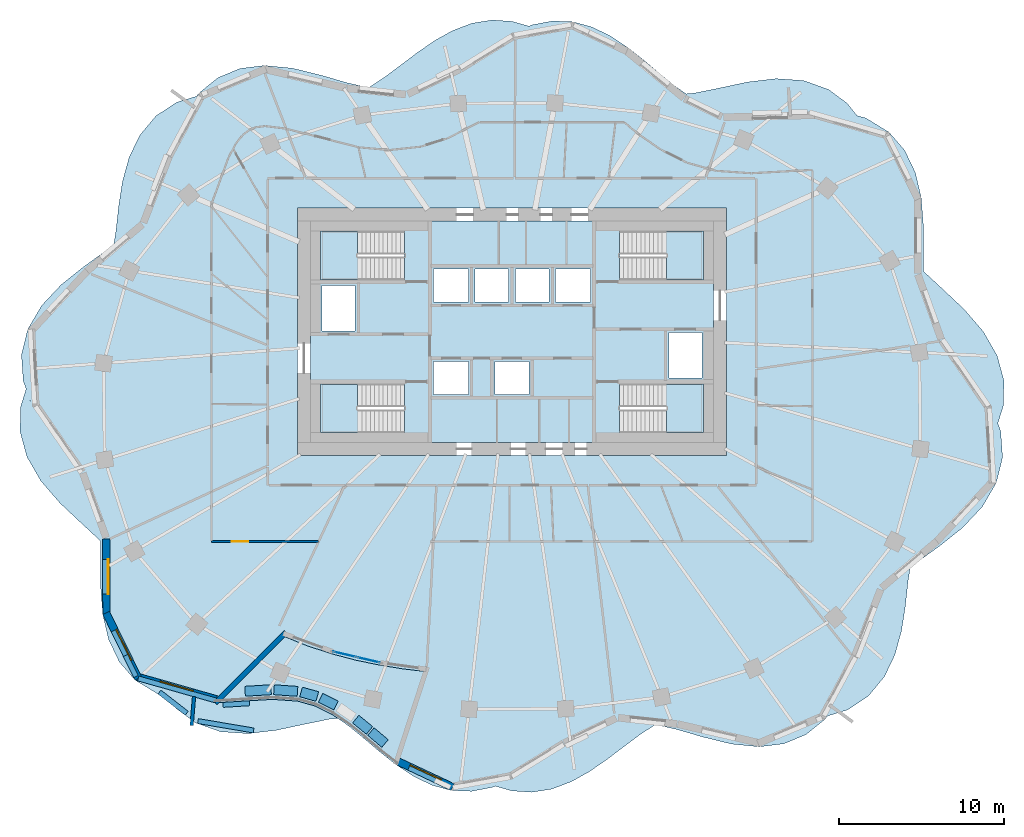
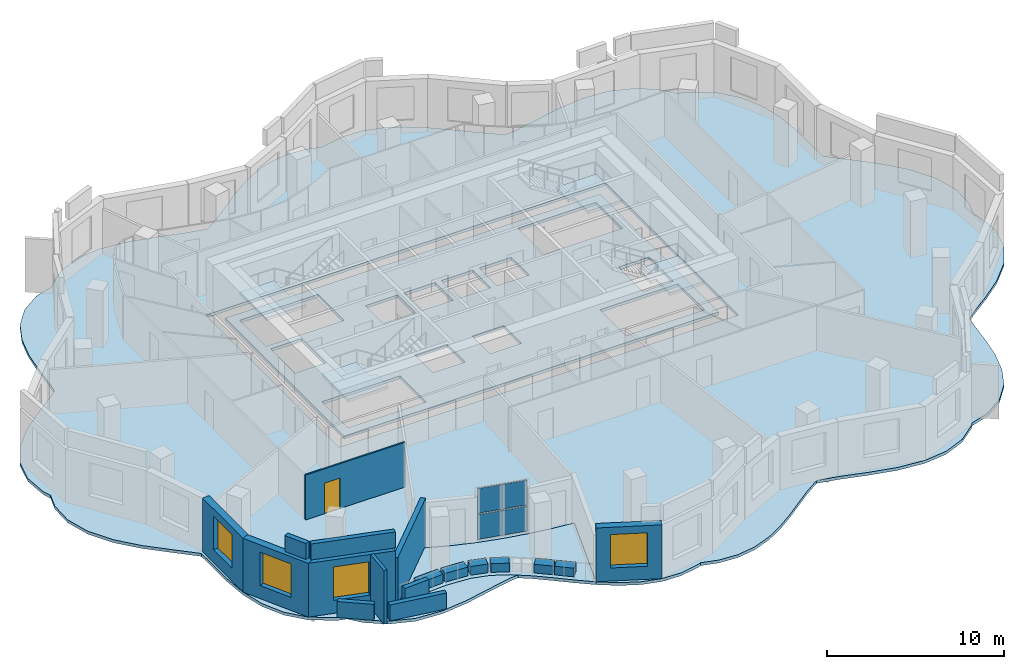
# One storey, part 4 of 13: 18 walls, 7 slabs, 4 plates, 4 windows, 1 door, 5 openings, 5 elements without a shape of their own.
"""IFC4 building model written with IfcOpenShell, lengths in metres."""

from ifc_helpers import new_model, si_unit, direction, frame, frame_2d, origin, origin_2d, place, context, subcontext, project, spatial, polyline, rectangle, outline, extrude, material, layer, layer_set, type_object, element, fill, aggregate, save


model = new_model("IFC4")

# Units and contexts
model_context = context("Model", 3, precision=1e-05, world=origin(), true_north=direction((0.0, 1.0)))
body_context = subcontext(model_context, "Body", "Model", "MODEL_VIEW")
ifc_project = project(units=[si_unit("LENGTHUNIT", "METRE"), si_unit("AREAUNIT", "SQUARE_METRE"), si_unit("VOLUMEUNIT", "CUBIC_METRE"), si_unit("PLANEANGLEUNIT", "RADIAN"), si_unit("MASSUNIT", "GRAM", prefix="KILO")], contexts=[model_context])

# Site, building, storey
site_placement = place(None, origin())
site = spatial("IfcSite", under=ifc_project, at=site_placement, CompositionType="ELEMENT")
building_placement = place(site_placement, origin())
building = spatial("IfcBuilding", under=site, at=building_placement, Name="Rubra Terraces Tower", CompositionType="ELEMENT")
storey_placement = place(building_placement, frame((0.0, 0.0, 252.60009765625)))
storey = spatial("IfcBuildingStorey", under=building, at=storey_placement, Name="L62", CompositionType="ELEMENT", Elevation=252.60009765625)

# Slab
ifc_material_1 = material(Name="Concrete C40", Category="concrete")
ifc_layer_1 = layer(ifc_material_1, 0.199951171875)
ifc_layer_set_1 = layer_set([ifc_layer_1], Name="Concrete C40")
slab_type_1 = type_object("IfcSlabType", Name="Core floor slab 200 concrete", PredefinedType="FLOOR", material=ifc_layer_set_1)
slab_1_placement = place(storey_placement, frame((0.0, 0.0, -0.2001953125)))
element("IfcSlab", 1, at=slab_1_placement, inside=storey, type_object=slab_type_1, Name="CORE FLOOR SLAB L62", PredefinedType="FLOOR", context=body_context, shape_type="SweptSolid", body=[
    extrude(outline(polyline([(-12.199951171875, -2.199951171875), (-12.199951171875, 11.199951171875), (12.199951171875, 11.199951171875), (12.199951171875, -2.199951171875), (-12.199951171875, -2.199951171875)]), holes=[polyline([(11.597900390625, 1.347900390625), (6.501953125, 1.347900390625), (6.501953125, -1.597900390625), (11.597900390625, -1.597900390625), (11.597900390625, 1.347900390625)]), polyline([(11.597900390625, 7.652099609375), (11.597900390625, 10.597900390625), (6.501953125, 10.597900390625), (6.501953125, 7.652099609375), (11.597900390625, 7.652099609375)]), polyline([(9.5, 1.699951171875), (11.5, 1.699951171875), (11.5, 4.449951171875), (9.5, 4.449951171875), (9.5, 1.699951171875)]), polyline([(4.75, 6.300048828125), (4.75, 8.300048828125), (2.64990234375, 8.300048828125), (2.64990234375, 6.300048828125), (4.75, 6.300048828125)]), polyline([(2.25, 8.300048828125), (0.199951171875, 8.300048828125), (0.199951171875, 6.300048828125), (2.25, 6.300048828125), (2.25, 8.300048828125)]), polyline([(1.02490234375, 0.699951171875), (1.02490234375, 2.699951171875), (-1.02490234375, 2.699951171875), (-1.02490234375, 0.699951171875), (1.02490234375, 0.699951171875)]), polyline([(-0.199951171875, 6.300048828125), (-0.199951171875, 8.300048828125), (-2.25, 8.300048828125), (-2.25, 6.300048828125), (-0.199951171875, 6.300048828125)]), polyline([(-4.75, 8.300048828125), (-4.75, 6.300048828125), (-2.64990234375, 6.300048828125), (-2.64990234375, 8.300048828125), (-4.75, 8.300048828125)]), polyline([(-2.64990234375, 0.699951171875), (-2.64990234375, 2.699951171875), (-4.75, 2.699951171875), (-4.75, 0.699951171875), (-2.64990234375, 0.699951171875)]), polyline([(-11.597900390625, -1.597900390625), (-6.501953125, -1.597900390625), (-6.501953125, 1.347900390625), (-11.597900390625, 1.347900390625), (-11.597900390625, -1.597900390625)]), polyline([(-11.597900390625, 10.597900390625), (-11.597900390625, 7.652099609375), (-6.501953125, 7.652099609375), (-6.501953125, 10.597900390625), (-11.597900390625, 10.597900390625)]), polyline([(-9.5, 4.550048828125), (-9.5, 7.300048828125), (-11.5, 7.300048828125), (-11.5, 4.550048828125), (-9.5, 4.550048828125)])]), origin(), (0.0, 0.0, 1.0), 0.2001953125),
])

# Stair, slab
stair_type = type_object("IfcStairType", Name="Core stair 1400", PredefinedType="HALF_TURN_STAIR", material=ifc_material_1)
stair_1_placement = place(storey_placement, origin())
stair_1 = element("IfcStair", 2, at=stair_1_placement, inside=storey, type_object=stair_type, Name="L62 Exit stair S1", PredefinedType="HALF_TURN_STAIR")
ifc_layer_2 = layer(ifc_material_1, 0.199951171875)
ifc_layer_set_2 = layer_set([ifc_layer_2], Name="Concrete C40")
slab_type_2 = type_object("IfcSlabType", Name="Core stair landing 200", PredefinedType="LANDING", material=ifc_layer_set_2)
slab_2_placement = place(storey_placement, frame((0.0, 0.0, 1.75)))
slab_2 = element("IfcSlab", 3, at=slab_2_placement, type_object=slab_type_2, Name="S1 landing 1", PredefinedType="LANDING", context=body_context, shape_type="SweptSolid", body=[
    extrude(outline(polyline([(-8.97998046875, -0.199951171875), (-8.97998046875, -1.60009765625), (-9.360107421875, -1.60009765625), (-9.3798828125, -1.60009765625), (-11.60009765625, -1.60009765625), (-11.60009765625, 1.35009765625), (-9.3798828125, 1.35009765625), (-9.35791015625, 1.35009765625), (-9.35791015625, -0.050048828125), (-9.360107421875, -0.050048828125), (-9.360107421875, -0.199951171875), (-8.97998046875, -0.199951171875)])), origin(), (0.0, 0.0, 1.0), 0.199951171875),
])
aggregate(stair_1, [slab_2])

stair_2_placement = place(storey_placement, origin())
stair_2 = element("IfcStair", 4, at=stair_2_placement, inside=storey, type_object=stair_type, Name="L62 Exit stair S2", PredefinedType="HALF_TURN_STAIR")
slab_3_placement = place(storey_placement, frame((0.0, 0.0, 1.75)))
slab_3 = element("IfcSlab", 5, at=slab_3_placement, type_object=slab_type_2, Name="S2 landing 1", PredefinedType="LANDING", context=body_context, shape_type="SweptSolid", body=[
    extrude(outline(polyline([(-8.97998046875, 9.050048828125), (-8.97998046875, 7.64990234375), (-9.3798828125, 7.64990234375), (-11.60009765625, 7.64990234375), (-11.60009765625, 10.60009765625), (-9.3798828125, 10.60009765625), (-9.360107421875, 10.60009765625), (-9.35791015625, 10.60009765625), (-9.35791015625, 9.199951171875), (-9.360107421875, 9.199951171875), (-9.360107421875, 9.050048828125), (-8.97998046875, 9.050048828125)])), origin(), (0.0, 0.0, 1.0), 0.199951171875),
])
aggregate(stair_2, [slab_3])

stair_3_placement = place(storey_placement, origin())
stair_3 = element("IfcStair", 6, at=stair_3_placement, inside=storey, type_object=stair_type, Name="L62 Exit stair S3", PredefinedType="HALF_TURN_STAIR")
slab_4_placement = place(storey_placement, frame((0.0, 0.0, 1.75)))
slab_4 = element("IfcSlab", 7, at=slab_4_placement, type_object=slab_type_2, Name="S3 landing 1", PredefinedType="LANDING", context=body_context, shape_type="SweptSolid", body=[
    extrude(outline(polyline([(9.360107421875, 9.050048828125), (9.360107421875, 9.199951171875), (8.97998046875, 9.199951171875), (8.97998046875, 10.60009765625), (9.360107421875, 10.60009765625), (9.3798828125, 10.60009765625), (11.60009765625, 10.60009765625), (11.60009765625, 7.64990234375), (9.3798828125, 7.64990234375), (9.35791015625, 7.64990234375), (9.35791015625, 9.050048828125), (9.360107421875, 9.050048828125)])), origin(), (0.0, 0.0, 1.0), 0.199951171875),
])
aggregate(stair_3, [slab_4])

stair_4_placement = place(storey_placement, origin())
stair_4 = element("IfcStair", 8, at=stair_4_placement, inside=storey, type_object=stair_type, Name="L62 Exit stair S4", PredefinedType="HALF_TURN_STAIR")
slab_5_placement = place(storey_placement, frame((0.0, 0.0, 1.75)))
slab_5 = element("IfcSlab", 9, at=slab_5_placement, type_object=slab_type_2, Name="S4 landing 1", PredefinedType="LANDING", context=body_context, shape_type="SweptSolid", body=[
    extrude(outline(polyline([(9.360107421875, -0.199951171875), (9.360107421875, -0.050048828125), (8.97998046875, -0.050048828125), (8.97998046875, 1.35009765625), (9.360107421875, 1.35009765625), (9.3798828125, 1.35009765625), (11.60009765625, 1.35009765625), (11.60009765625, -1.60009765625), (9.3798828125, -1.60009765625), (9.360107421875, -1.60009765625), (9.35791015625, -1.60009765625), (9.35791015625, -0.199951171875), (9.360107421875, -0.199951171875)])), origin(), (0.0, 0.0, 1.0), 0.199951171875),
])
aggregate(stair_4, [slab_5])

# Slabs
ifc_layer_3 = layer(ifc_material_1, 0.199951171875)
ifc_layer_set_3 = layer_set([ifc_layer_3], Name="Concrete C40")
slab_type_3 = type_object("IfcSlabType", Name="FLOOR SLAB 200 COMPOSITE", PredefinedType="FLOOR", material=ifc_layer_set_3)
slab_6_placement = place(storey_placement, frame((0.0, 0.0, -0.2001953125)))
element("IfcSlab", 10, at=slab_6_placement, inside=storey, type_object=slab_type_3, Name="FLOOR SLAB L62", PredefinedType="FLOOR", context=body_context, shape_type="SweptSolid", body=[
    extrude(outline(polyline([(11.056884765625, 18.9619140625), (10.547119140625, 18.9189453125), (9.8779296875, 19.385986328125), (8.966064453125, 20.132080078125), (8.028076171875, 20.926025390625), (7.051025390625, 21.700927734375), (5.968994140625, 22.422119140625), (4.843994140625, 22.967041015625), (3.68701171875, 23.281982421875), (2.450927734375, 23.33203125), (1.217041015625, 23.095947265625), (1.02099609375, 23.01904296875), (0.0, 23.306884765625), (-1.201904296875, 23.389892578125), (-2.408935546875, 23.197998046875), (-3.60302734375, 22.7470703125), (-4.675048828125, 22.14794921875), (-5.714111328125, 21.43408203125), (-6.718017578125, 20.675048828125), (-7.68701171875, 19.948974609375), (-8.639892578125, 19.31689453125), (-8.69189453125, 19.2900390625), (-9.97998046875, 19.5869140625), (-11.60498046875, 20.055908203125), (-13.2958984375, 20.468994140625), (-14.993896484375, 20.637939453125), (-16.469970703125, 20.4541015625), (-17.81298828125, 19.89404296875), (-18.964111328125, 18.964111328125), (-19.114013671875, 18.77001953125), (-20.320068359375, 18.403076171875), (-21.5791015625, 17.572998046875), (-22.55908203125, 16.389892578125), (-23.196044921875, 15.06103515625), (-23.595947265625, 13.60791015625), (-23.824951171875, 12.139892578125), (-23.992919921875, 10.60107421875), (-24.117919921875, 9.81396484375), (-24.5869140625, 9.424072265625), (-25.9599609375, 8.43505859375), (-27.302001953125, 7.363037109375), (-28.489990234375, 6.096923828125), (-29.337890625, 4.64697265625), (-29.717041015625, 3.10107421875), (-29.60595703125, 1.52587890625), (-29.06689453125, 0.0), (-29.43310546875, 1.035888671875), (-29.757080078125, 0.0), (-29.802978515625, -1.535888671875), (-29.383056640625, -3.072021484375), (-28.547119140625, -4.52099609375), (-27.39111328125, -5.866943359375), (-26.136962890625, -7.0458984375), (-24.98291015625, -8.116943359375), (-24.93310546875, -8.175048828125), (-24.9169921875, -9.5029296875), (-24.9150390625, -11.032958984375), (-24.7890625, -12.631103515625), (-24.43603515625, -14.136962890625), (-23.7900390625, -15.491943359375), (-22.839111328125, -16.593017578125), (-21.4150390625, -17.4619140625), (-20.902099609375, -17.594970703125), (-20.301025390625, -18.346923828125), (-19.179931640625, -19.179931640625), (-17.657958984375, -19.72412109375), (-15.985107421875, -19.839111328125), (-14.263916015625, -19.633056640625), (-12.615966796875, -19.281005859375), (-11.056884765625, -18.9619140625), (-10.5458984375, -18.9189453125), (-10.883056640625, -18.68408203125), (-11.907958984375, -18.172119140625), (-12.98388671875, -17.8701171875), (-14.509033203125, -17.763916015625), (-16.18408203125, -17.864013671875), (-17.97607421875, -17.97607421875), (-13.908935546875, -13.908935546875), (-12.426025390625, -14.510986328125), (-10.905029296875, -15.009033203125), (-9.458984375, -15.388916015625), (-7.99609375, -15.693115234375), (-6.614013671875, -15.9140625), (-5.22412109375, -16.0791015625), (-7.051025390625, -21.700927734375), (-5.968994140625, -22.422119140625), (-4.843994140625, -22.967041015625), (-3.68701171875, -23.281982421875), (-2.450927734375, -23.33203125), (-1.217041015625, -23.095947265625), (-1.02099609375, -23.01904296875), (0.0, -23.306884765625), (1.201904296875, -23.389892578125), (2.408935546875, -23.197998046875), (3.60302734375, -22.7470703125), (4.675048828125, -22.14794921875), (5.714111328125, -21.43408203125), (6.718017578125, -20.675048828125), (7.68701171875, -19.948974609375), (8.639892578125, -19.31689453125), (8.69189453125, -19.2900390625), (9.97998046875, -19.5869140625), (11.60498046875, -20.055908203125), (13.2958984375, -20.468994140625), (14.993896484375, -20.637939453125), (16.469970703125, -20.4541015625), (17.81298828125, -19.89404296875), (18.964111328125, -18.964111328125), (19.114013671875, -18.77001953125), (20.320068359375, -18.403076171875), (21.5791015625, -17.572998046875), (22.55908203125, -16.389892578125), (23.196044921875, -15.06103515625), (23.595947265625, -13.60791015625), (23.824951171875, -12.139892578125), (23.992919921875, -10.60107421875), (24.117919921875, -9.81396484375), (24.5869140625, -9.424072265625), (25.9599609375, -8.43505859375), (27.302001953125, -7.363037109375), (28.489990234375, -6.096923828125), (29.337890625, -4.64697265625), (29.717041015625, -3.10107421875), (29.60595703125, -1.52587890625), (29.06689453125, 0.0), (29.43310546875, -1.035888671875), (29.757080078125, 0.0), (29.802978515625, 1.535888671875), (29.383056640625, 3.072021484375), (28.547119140625, 4.52099609375), (27.39111328125, 5.866943359375), (26.136962890625, 7.0458984375), (24.98291015625, 8.116943359375), (24.93310546875, 8.175048828125), (24.9169921875, 9.5029296875), (24.9150390625, 11.032958984375), (24.7890625, 12.631103515625), (24.43603515625, 14.136962890625), (23.7900390625, 15.491943359375), (22.839111328125, 16.593017578125), (21.4150390625, 17.4619140625), (20.902099609375, 17.594970703125), (20.301025390625, 18.346923828125), (19.179931640625, 19.179931640625), (17.657958984375, 19.72412109375), (15.985107421875, 19.839111328125), (14.263916015625, 19.633056640625), (12.615966796875, 19.281005859375), (11.056884765625, 18.9619140625)]), holes=[polyline([(13.0, 12.0), (13.0, -3.0), (-13.0, -3.0), (-13.0, 12.0), (13.0, 12.0)])]), origin(), (0.0, 0.0, 1.0), 0.2001953125),
])
slab_7_placement = place(storey_placement, frame((0.0, 0.0, -0.2001953125)))
element("IfcSlab", 11, at=slab_7_placement, inside=storey, type_object=slab_type_3, Name="TERRACE SLAB L62", PredefinedType="FLOOR", context=body_context, shape_type="SweptSolid", body=[
    extrude(outline(polyline([(-17.97607421875, -17.97607421875), (-16.18408203125, -17.864013671875), (-14.509033203125, -17.763916015625), (-12.98388671875, -17.8701171875), (-11.907958984375, -18.172119140625), (-10.883056640625, -18.68408203125), (-9.8779296875, -19.385986328125), (-8.966064453125, -20.132080078125), (-8.028076171875, -20.926025390625), (-7.051025390625, -21.700927734375), (-5.22412109375, -16.0791015625), (-6.614013671875, -15.9140625), (-7.99609375, -15.693115234375), (-9.458984375, -15.388916015625), (-10.905029296875, -15.009033203125), (-12.426025390625, -14.510986328125), (-13.908935546875, -13.908935546875), (-17.97607421875, -17.97607421875)])), origin(), (0.0, 0.0, 1.0), 0.2001953125),
])

# Curtain wall, plates
ifc_material_2 = material(Name="Aluminium and glass", Category="aluminium")
curtain_wall_type = type_object("IfcCurtainWallType", Name="Curtain wall Terrace glazing", PredefinedType="NOTDEFINED", material=ifc_material_2)
curtain_wall_placement = place(storey_placement, origin())
curtain_wall = element("IfcCurtainWall", 12, at=curtain_wall_placement, inside=storey, type_object=curtain_wall_type, Name="Terrace glazing L62", PredefinedType="NOTDEFINED")
ifc_material_3 = material(Name="Clear glass, laminated", Category="glass")
ifc_layer_4 = layer(ifc_material_3, 0.028076171875)
ifc_layer_set_4 = layer_set([ifc_layer_4], Name="Clear glass, laminated")
plate_type = type_object("IfcPlateType", Name="Terrace glazing glass panel 28", PredefinedType="CURTAIN_PANEL", material=ifc_layer_set_4)
plate_1_placement = place(storey_placement, frame((-10.13134765625, -15.036865234375, 0.10009765625), z_axis=(0.0, 0.0, 1.0), x_axis=(0.973452266109, -0.228890116883, 0.0)))
plate_1 = element("IfcPlate", 13, at=plate_1_placement, type_object=plate_type, Name="CW3 panel 1.1", PredefinedType="CURTAIN_PANEL", context=body_context, shape_type="SweptSolid", body=[
    extrude(rectangle(XDim=1.419189453125, YDim=0.028076171875, at=origin_2d()), origin(), (0.0, 0.0, 1.0), 1.699951171875),
])
plate_2_placement = place(storey_placement, frame((-10.13134765625, -15.036865234375, 1.89990234375), z_axis=(0.0, 0.0, 1.0), x_axis=(0.973452266109, -0.228890116883, 0.0)))
plate_2 = element("IfcPlate", 14, at=plate_2_placement, type_object=plate_type, Name="CW3 panel 1.2", PredefinedType="CURTAIN_PANEL", context=body_context, shape_type="SweptSolid", body=[
    extrude(rectangle(XDim=1.419189453125, YDim=0.028076171875, at=origin_2d()), origin(), (0.0, 0.0, 1.0), 1.699951171875),
])
plate_3_placement = place(storey_placement, frame((-8.701171875, -15.373046875, 0.10009765625), z_axis=(0.0, 0.0, 1.0), x_axis=(0.973452266109, -0.228890116883, 0.0)))
plate_3 = element("IfcPlate", 15, at=plate_3_placement, type_object=plate_type, Name="CW3 panel 2.1", PredefinedType="CURTAIN_PANEL", context=body_context, shape_type="SweptSolid", body=[
    extrude(rectangle(XDim=1.419189453125, YDim=0.028076171875, at=origin_2d()), origin(), (0.0, 0.0, 1.0), 1.699951171875),
])
plate_4_placement = place(storey_placement, frame((-8.701171875, -15.373046875, 1.89990234375), z_axis=(0.0, 0.0, 1.0), x_axis=(0.973452266109, -0.228890116883, 0.0)))
plate_4 = element("IfcPlate", 16, at=plate_4_placement, type_object=plate_type, Name="CW3 panel 2.2", PredefinedType="CURTAIN_PANEL", context=body_context, shape_type="SweptSolid", body=[
    extrude(rectangle(XDim=1.419189453125, YDim=0.028076171875, at=origin_2d()), origin(), (0.0, 0.0, 1.0), 1.699951171875),
])
aggregate(curtain_wall, [plate_1, plate_2, plate_3, plate_4])

# Walls
ifc_material_4 = material(Name="Brick masonry red-brown", Category="masonry")
ifc_layer_5 = layer(ifc_material_4, 0.300048828125)
ifc_layer_set_5 = layer_set([ifc_layer_5], Name="Brick masonry red-brown")
wall_type_1 = type_object("IfcWallType", Name="Brick edge guard 300", PredefinedType="PARAPET", material=ifc_layer_set_5)
wall_1_placement = place(storey_placement, frame((-17.4990234375, -18.096435546875, 0.0), z_axis=(0.0, 0.0, 1.0), x_axis=(0.998083372436, 0.061883613876, 0.0)))
element("IfcWall", 17, at=wall_1_placement, inside=storey, type_object=wall_type_1, Name="Edge guard L62.1", PredefinedType="PARAPET", context=body_context, shape_type="SweptSolid", body=[
    extrude(rectangle(XDim=1.597900390625, YDim=0.300048828125, at=frame_2d((0.798828125, 0.0))), origin(), (0.0, 0.0, 1.0), 1.099853515625),
])
wall_2_placement = place(storey_placement, frame((-15.654541015625, -19.6484375, 0.0), z_axis=(0.0, 0.0, 1.0), x_axis=(-0.985906809465, 0.167295436428, 0.0)))
element("IfcWall", 18, at=wall_2_placement, inside=storey, type_object=wall_type_1, Name="Edge guard L62.2", PredefinedType="PARAPET", context=body_context, shape_type="SweptSolid", body=[
    extrude(rectangle(XDim=3.416259765625, YDim=0.300048828125, at=frame_2d((1.7080078125, 0.0))), origin(), (0.0, 0.0, 1.0), 1.099853515625),
])
wall_3_placement = place(storey_placement, frame((-19.705810546875, -18.602294921875, 0.0), z_axis=(0.0, 0.0, 1.0), x_axis=(-0.79025672685, 0.612775901671, 0.0)))
element("IfcWall", 19, at=wall_3_placement, inside=storey, type_object=wall_type_1, Name="Edge guard L62.3", PredefinedType="PARAPET", context=body_context, shape_type="SweptSolid", body=[
    extrude(rectangle(XDim=2.0908203125, YDim=0.300048828125, at=frame_2d((1.04541015625, 0.0))), origin(), (0.0, 0.0, 1.0), 1.099853515625),
])

# Wall, opening, window
ifc_layer_6 = layer(ifc_material_4, 0.449951171875)
ifc_layer_set_6 = layer_set([ifc_layer_6], Name="Brick masonry red-brown")
wall_type_2 = type_object("IfcWallType", Name="Brick facade wall 450", PredefinedType="SOLIDWALL", material=ifc_layer_set_6)
wall_4_placement = place(storey_placement, frame((-24.5712890625, -8.044189453125, 0.0), z_axis=(0.0, 0.0, 1.0), x_axis=(0.001546005189, -0.999998804933, 0.0)))
wall_4 = element("IfcWall", 20, at=wall_4_placement, inside=storey, type_object=wall_type_2, Name="Facade wall L62 bay 23", PredefinedType="SOLIDWALL", context=body_context, shape_type="SweptSolid", body=[
    extrude(rectangle(XDim=4.57958984375, YDim=0.449951171875, at=frame_2d((2.289794921875, 0.0))), origin(), (0.0, 0.0, 1.0), 3.699951171875),
])
opening_1_placement = place(wall_4_placement, frame((1.23974609375, 0.0, 0.89990234375)))
opening_1 = element("IfcOpeningElement", 21, at=opening_1_placement, cuts=wall_4, Name="Opening W1B", PredefinedType="OPENING", context=body_context, shape_type="SweptSolid", body=[
    extrude(rectangle(XDim=2.10009765625, YDim=2.300048828125, at=frame_2d((1.050048828125, 1.14990234375))), frame((0.0, 0.23486328125, 0.0), z_axis=(0.0, -1.0, 0.0), x_axis=(1.0, 0.0, 0.0)), (0.0, 0.0, 1.0), 0.469970703125),
])
ifc_material_5 = material(Name="Clear glass in aluminium frame", Category="aluminium")
window_type = type_object("IfcWindowType", Name="Fixed deep-set window tall storey 2100 x 2300", PartitioningType="SINGLE_PANEL", PredefinedType="WINDOW", material=ifc_material_5)
window_1_placement = place(opening_1_placement, origin())
window_1 = element("IfcWindow", 22, at=window_1_placement, inside=storey, type_object=window_type, Name="Window L62 bay 23", OverallHeight=2.300048828125, OverallWidth=2.10009765625, PartitioningType="SINGLE_PANEL", PredefinedType="WINDOW", context=body_context, shape_type="SweptSolid", body=[
    extrude(rectangle(XDim=2.10009765625, YDim=2.300048828125, at=frame_2d((1.050048828125, 1.14990234375))), frame((0.0, 0.135009765625, 0.0), z_axis=(0.0, -1.0, 0.0), x_axis=(1.0, 0.0, 0.0)), (0.0, 0.0, 1.0), 0.06005859375),
])
fill(opening_1, window_1)

wall_5_placement = place(storey_placement, frame((-24.587158203125, -12.531494140625, 0.0), z_axis=(0.0, 0.0, 1.0), x_axis=(0.441565582365, -0.897228976611, 0.0)))
wall_5 = element("IfcWall", 23, at=wall_5_placement, inside=storey, type_object=wall_type_2, Name="Facade wall L62 bay 24", PredefinedType="SOLIDWALL", context=body_context, shape_type="SweptSolid", body=[
    extrude(rectangle(XDim=4.416015625, YDim=0.449951171875, at=frame_2d((2.2080078125, 0.0))), origin(), (0.0, 0.0, 1.0), 3.699951171875),
])
opening_2_placement = place(wall_5_placement, frame((1.157958984375, 0.0, 0.89990234375)))
opening_2 = element("IfcOpeningElement", 24, at=opening_2_placement, cuts=wall_5, Name="Opening W1B", PredefinedType="OPENING", context=body_context, shape_type="SweptSolid", body=[
    extrude(rectangle(XDim=2.10009765625, YDim=2.300048828125, at=frame_2d((1.050048828125, 1.14990234375))), frame((0.0, 0.23486328125, 0.0), z_axis=(0.0, -1.0, 0.0), x_axis=(1.0, 0.0, 0.0)), (0.0, 0.0, 1.0), 0.469970703125),
])
window_2_placement = place(opening_2_placement, origin())
window_2 = element("IfcWindow", 25, at=window_2_placement, inside=storey, type_object=window_type, Name="Window L62 bay 24", OverallHeight=2.300048828125, OverallWidth=2.10009765625, PartitioningType="SINGLE_PANEL", PredefinedType="WINDOW", context=body_context, shape_type="SweptSolid", body=[
    extrude(rectangle(XDim=2.10009765625, YDim=2.300048828125, at=frame_2d((1.050048828125, 1.14990234375))), frame((0.0, 0.135009765625, 0.0), z_axis=(0.0, -1.0, 0.0), x_axis=(1.0, 0.0, 0.0)), (0.0, 0.0, 1.0), 0.06005859375),
])
fill(opening_2, window_2)

wall_6_placement = place(storey_placement, frame((-22.777587890625, -16.376708984375, 0.0), z_axis=(0.0, 0.0, 1.0), x_axis=(0.961869407366, -0.273509128135, 0.0)))
wall_6 = element("IfcWall", 26, at=wall_6_placement, inside=storey, type_object=wall_type_2, Name="Facade wall L62 bay 25", PredefinedType="SOLIDWALL", context=body_context, shape_type="SweptSolid", body=[
    extrude(rectangle(XDim=5.055908203125, YDim=0.449951171875, at=frame_2d((2.52783203125, 0.0))), origin(), (0.0, 0.0, 1.0), 3.699951171875),
])
opening_3_placement = place(wall_6_placement, frame((1.477783203125, 0.0, 0.89990234375)))
opening_3 = element("IfcOpeningElement", 27, at=opening_3_placement, cuts=wall_6, Name="Opening W1B", PredefinedType="OPENING", context=body_context, shape_type="SweptSolid", body=[
    extrude(rectangle(XDim=2.10009765625, YDim=2.300048828125, at=frame_2d((1.050048828125, 1.14990234375))), frame((0.0, 0.23486328125, 0.0), z_axis=(0.0, -1.0, 0.0), x_axis=(1.0, 0.0, 0.0)), (0.0, 0.0, 1.0), 0.469970703125),
])
window_3_placement = place(opening_3_placement, origin())
window_3 = element("IfcWindow", 28, at=window_3_placement, inside=storey, type_object=window_type, Name="Window L62 bay 25", OverallHeight=2.300048828125, OverallWidth=2.10009765625, PartitioningType="SINGLE_PANEL", PredefinedType="WINDOW", context=body_context, shape_type="SweptSolid", body=[
    extrude(rectangle(XDim=2.10009765625, YDim=2.300048828125, at=frame_2d((1.050048828125, 1.14990234375))), frame((0.0, 0.135009765625, 0.0), z_axis=(0.0, -1.0, 0.0), x_axis=(1.0, 0.0, 0.0)), (0.0, 0.0, 1.0), 0.06005859375),
])
fill(opening_3, window_3)

wall_7_placement = place(storey_placement, frame((-6.955322265625, -21.497314453125, 0.0), z_axis=(0.0, 0.0, 1.0), x_axis=(0.905026988762, -0.425354146108, 0.0)))
wall_7 = element("IfcWall", 29, at=wall_7_placement, inside=storey, type_object=wall_type_2, Name="Facade wall L62 bay 29", PredefinedType="SOLIDWALL", context=body_context, shape_type="SweptSolid", body=[
    extrude(rectangle(XDim=3.717041015625, YDim=0.449951171875, at=frame_2d((1.8583984375, 0.0))), origin(), (0.0, 0.0, 1.0), 3.699951171875),
])
opening_4_placement = place(wall_7_placement, frame((0.80859375, 0.0, 0.89990234375)))
opening_4 = element("IfcOpeningElement", 30, at=opening_4_placement, cuts=wall_7, Name="Opening W1B", PredefinedType="OPENING", context=body_context, shape_type="SweptSolid", body=[
    extrude(rectangle(XDim=2.10009765625, YDim=2.300048828125, at=frame_2d((1.050048828125, 1.14990234375))), frame((0.0, 0.23486328125, 0.0), z_axis=(0.0, -1.0, 0.0), x_axis=(1.0, 0.0, 0.0)), (0.0, 0.0, 1.0), 0.469970703125),
])
window_4_placement = place(opening_4_placement, origin())
window_4 = element("IfcWindow", 31, at=window_4_placement, inside=storey, type_object=window_type, Name="Window L62 bay 29", OverallHeight=2.300048828125, OverallWidth=2.10009765625, PartitioningType="SINGLE_PANEL", PredefinedType="WINDOW", context=body_context, shape_type="SweptSolid", body=[
    extrude(rectangle(XDim=2.10009765625, YDim=2.300048828125, at=frame_2d((1.050048828125, 1.14990234375))), frame((0.0, 0.135009765625, 0.0), z_axis=(0.0, -1.0, 0.0), x_axis=(1.0, 0.0, 0.0)), (0.0, 0.0, 1.0), 0.06005859375),
])
fill(opening_4, window_4)

# Walls
ifc_layer_7 = layer(ifc_material_4, 0.300048828125)
ifc_layer_set_7 = layer_set([ifc_layer_7], Name="Brick masonry red-brown")
wall_type_3 = type_object("IfcWallType", Name="Brick parapet 300", PredefinedType="PARAPET", material=ifc_layer_set_7)
wall_8_placement = place(storey_placement, frame((-23.40673828125, -15.099609375, 3.89990234375), z_axis=(0.0, 0.0, 1.0), x_axis=(0.441525139575, -0.897248879143, 0.0)))
element("IfcWall", 32, at=wall_8_placement, inside=storey, type_object=wall_type_3, Name="Parapet L62 bay 24", PredefinedType="PARAPET", context=body_context, shape_type="SweptSolid", body=[
    extrude(rectangle(XDim=1.42724609375, YDim=0.300048828125, at=frame_2d((0.713623046875, 0.0))), origin(), (0.0, 0.0, 1.0), 1.10009765625),
])
wall_9_placement = place(storey_placement, frame((-22.640869140625, -16.493408203125, 3.89990234375), z_axis=(0.0, 0.0, 1.0), x_axis=(0.96185467035, -0.273560949565, 0.0)))
element("IfcWall", 33, at=wall_9_placement, inside=storey, type_object=wall_type_3, Name="Parapet L62 bay 25", PredefinedType="PARAPET", context=body_context, shape_type="SweptSolid", body=[
    extrude(rectangle(XDim=4.892333984375, YDim=0.300048828125, at=frame_2d((2.4462890625, 0.0))), origin(), (0.0, 0.0, 1.0), 1.10009765625),
])
ifc_layer_8 = layer(ifc_material_4, 0.199951171875)
ifc_layer_set_8 = layer_set([ifc_layer_8], Name="Brick masonry red-brown")
wall_type_4 = type_object("IfcWallType", Name="Brick wind fin 200", PredefinedType="SOLIDWALL", material=ifc_layer_set_8)
wall_10_placement = place(storey_placement, frame((-19.260986328125, -17.595947265625, 0.0), z_axis=(0.0, 0.0, 1.0), x_axis=(-0.082860766165, -0.996561133815, 0.0)))
element("IfcWall", 34, at=wall_10_placement, inside=storey, type_object=wall_type_4, Name="Wind fin L62 15", PredefinedType="SOLIDWALL", context=body_context, shape_type="SweptSolid", body=[
    extrude(rectangle(XDim=1.750244140625, YDim=0.199951171875, at=frame_2d((0.875, 0.0))), origin(), (0.0, 0.0, 1.0), 3.699951171875),
])
ifc_material_6 = material(Name="Brick masonry with ochre lime render", Category="masonry")
ifc_layer_9 = layer(ifc_material_6, 0.300048828125)
ifc_layer_set_9 = layer_set([ifc_layer_9], Name="Brick masonry with ochre lime render")
wall_type_5 = type_object("IfcWallType", Name="Ochre rendered brick wall 300", PredefinedType="SOLIDWALL", material=ifc_layer_set_9)
wall_11_placement = place(storey_placement, frame((-17.97607421875, -17.97607421875, 0.0), z_axis=(0.0, 0.0, 1.0), x_axis=(0.707106781187, 0.707106781187, 0.0)))
element("IfcWall", 35, at=wall_11_placement, inside=storey, type_object=wall_type_5, Name="Terrace side wall L62.1", PredefinedType="SOLIDWALL", context=body_context, shape_type="SweptSolid", body=[
    extrude(rectangle(XDim=6.051513671875, YDim=0.300048828125, at=frame_2d((3.02587890625, 0.0))), origin(), (0.0, 0.0, 1.0), 3.25390625),
])
ifc_layer_10 = layer(ifc_material_6, 0.60009765625)
ifc_layer_set_10 = layer_set([ifc_layer_10], Name="Brick masonry with ochre lime render")
wall_type_6 = type_object("IfcWallType", Name="Planter box 600", PredefinedType="SOLIDWALL", material=ifc_layer_set_10)
wall_12_placement = place(storey_placement, frame((-16.169189453125, -17.272216796875, 0.0), z_axis=(0.0, 0.0, 1.0), x_axis=(0.998215190025, 0.059719631641, 0.0)))
element("IfcWall", 36, at=wall_12_placement, inside=storey, type_object=wall_type_6, Name="Planter L62.3", PredefinedType="SOLIDWALL", context=body_context, shape_type="SweptSolid", body=[
    extrude(rectangle(XDim=1.578125, YDim=0.60009765625, at=frame_2d((0.7890625, 0.0))), origin(), (0.0, 0.0, 1.0), 0.599853515625),
])
wall_13_placement = place(storey_placement, frame((-14.418212890625, -17.178955078125, 0.0), z_axis=(0.0, 0.0, 1.0), x_axis=(0.997590527083, -0.069376799246, 0.0)))
element("IfcWall", 37, at=wall_13_placement, inside=storey, type_object=wall_type_6, Name="Planter L62.5", PredefinedType="SOLIDWALL", context=body_context, shape_type="SweptSolid", body=[
    extrude(rectangle(XDim=1.4287109375, YDim=0.60009765625, at=frame_2d((0.71435546875, 0.0))), origin(), (0.0, 0.0, 1.0), 0.599853515625),
])
wall_14_placement = place(storey_placement, frame((-12.7763671875, -17.3154296875, 0.0), z_axis=(0.0, 0.0, 1.0), x_axis=(0.962816860543, -0.270154942679, 0.0)))
element("IfcWall", 38, at=wall_14_placement, inside=storey, type_object=wall_type_6, Name="Planter L62.8", PredefinedType="SOLIDWALL", context=body_context, shape_type="SweptSolid", body=[
    extrude(rectangle(XDim=1.017578125, YDim=0.60009765625, at=frame_2d((0.5087890625, 0.0))), origin(), (0.0, 0.0, 1.0), 0.599853515625),
])
wall_15_placement = place(storey_placement, frame((-11.599609375, -17.66650390625, 0.0), z_axis=(0.0, 0.0, 1.0), x_axis=(0.894613879991, -0.446840022522, 0.0)))
element("IfcWall", 39, at=wall_15_placement, inside=storey, type_object=wall_type_6, Name="Planter L62.11", PredefinedType="SOLIDWALL", context=body_context, shape_type="SweptSolid", body=[
    extrude(rectangle(XDim=1.045654296875, YDim=0.60009765625, at=frame_2d((0.52294921875, 0.0))), origin(), (0.0, 0.0, 1.0), 0.599853515625),
])
wall_16_placement = place(storey_placement, frame((-9.4658203125, -18.9609375, 0.0), z_axis=(0.0, 0.0, 1.0), x_axis=(0.773997642814, -0.633188478195, 0.0)))
element("IfcWall", 40, at=wall_16_placement, inside=storey, type_object=wall_type_6, Name="Planter L62.15", PredefinedType="SOLIDWALL", context=body_context, shape_type="SweptSolid", body=[
    extrude(rectangle(XDim=1.078369140625, YDim=0.60009765625, at=frame_2d((0.5390625, 0.0))), origin(), (0.0, 0.0, 1.0), 0.599853515625),
])
wall_17_placement = place(storey_placement, frame((-8.546630859375, -19.714111328125, 0.0), z_axis=(0.0, 0.0, 1.0), x_axis=(0.763336647432, -0.646000899912, 0.0)))
element("IfcWall", 41, at=wall_17_placement, inside=storey, type_object=wall_type_6, Name="Planter L62.17", PredefinedType="SOLIDWALL", context=body_context, shape_type="SweptSolid", body=[
    extrude(rectangle(XDim=1.119384765625, YDim=0.60009765625, at=frame_2d((0.5595703125, 0.0))), origin(), (0.0, 0.0, 1.0), 0.599853515625),
])

# Wall, opening, door
ifc_material_7 = material(Name="Plasterboard on steel stud", Category="steel")
ifc_layer_11 = layer(ifc_material_7, 0.10009765625)
ifc_layer_set_11 = layer_set([ifc_layer_11], Name="Plasterboard on steel stud")
wall_type_7 = type_object("IfcWallType", Name="ROOM PARTITION 100", PredefinedType="PARTITIONING", material=ifc_layer_set_11)
wall_18_placement = place(storey_placement, frame((-11.73388671875, -8.199951171875, 0.0), z_axis=(0.0, 0.0, 1.0), x_axis=(-1.0, 0.0, 0.0)))
wall_18 = element("IfcWall", 42, at=wall_18_placement, inside=storey, type_object=wall_type_7, Name="PARTITION", PredefinedType="PARTITIONING", context=body_context, shape_type="SweptSolid", body=[
    extrude(rectangle(XDim=6.466064453125, YDim=0.10009765625, at=frame_2d((3.23291015625, 0.0))), origin(), (0.0, 0.0, 1.0), 3.083984375),
])
opening_5_placement = place(wall_18_placement, frame((4.23291015625, 0.0, 0.0)))
opening_5 = element("IfcOpeningElement", 43, at=opening_5_placement, cuts=wall_18, Name="Opening 62-117", PredefinedType="OPENING", context=body_context, shape_type="SweptSolid", body=[
    extrude(rectangle(XDim=1.0, YDim=2.10009765625, at=frame_2d((0.5, 1.050048828125))), frame((0.0, 0.06005859375, 0.0), z_axis=(0.0, -1.0, 0.0), x_axis=(1.0, 0.0, 0.0)), (0.0, 0.0, 1.0), 0.1201171875),
])
ifc_material_8 = material(Name="Painted timber door leaf", Category="wood")
door_type = type_object("IfcDoorType", Name="ROOM DOOR 1000 X 2100", OperationType="SINGLE_SWING_LEFT", PredefinedType="DOOR", material=ifc_material_8)
door_placement = place(opening_5_placement, origin())
door = element("IfcDoor", 44, at=door_placement, inside=storey, type_object=door_type, Name="DOOR 62-117", OperationType="SINGLE_SWING_LEFT", OverallHeight=2.10009765625, OverallWidth=1.0, PredefinedType="DOOR", context=body_context, shape_type="SweptSolid", body=[
    extrude(rectangle(XDim=1.0, YDim=2.10009765625, at=frame_2d((0.5, 1.050048828125))), frame((0.0, 0.02490234375, 0.0), z_axis=(0.0, -1.0, 0.0), x_axis=(1.0, 0.0, 0.0)), (0.0, 0.0, 1.0), 0.050048828125),
])
fill(opening_5, door)

save(model, "model.ifc")
